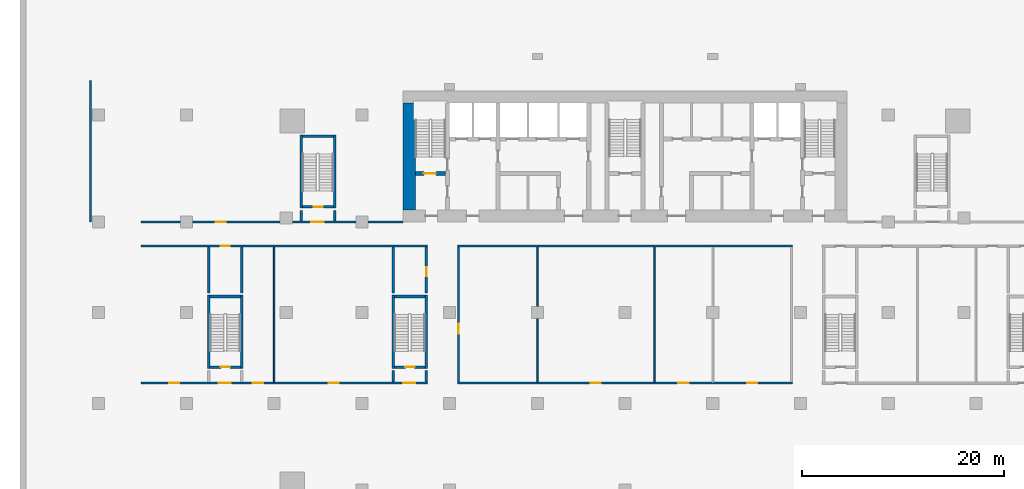
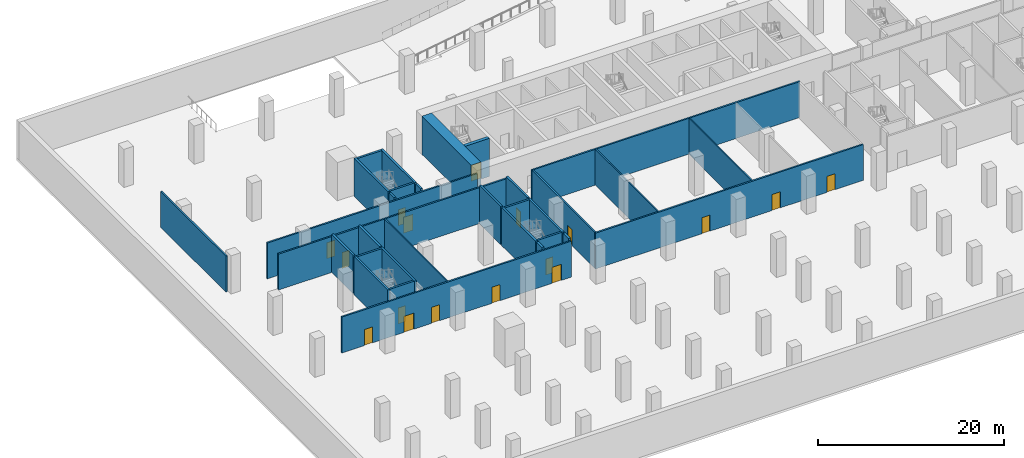
# One storey, part 2 of 8: 32 walls, 17 doors, 17 openings.
"""IFC4 building model written with IfcOpenShell, lengths in metres."""

from ifc_helpers import new_model, si_unit, direction, frame, frame_2d, origin, place, context, subcontext, project, spatial, rectangle, extrude, material, layer, layer_set, type_object, element, fill, save


model = new_model("IFC4")

# Units and contexts
model_context = context("Model", 3, precision=1e-05, world=origin(), true_north=direction((0.0, 1.0)))
body_context = subcontext(model_context, "Body", "Model", "MODEL_VIEW")
ifc_project = project(units=[si_unit("LENGTHUNIT", "METRE"), si_unit("AREAUNIT", "SQUARE_METRE"), si_unit("VOLUMEUNIT", "CUBIC_METRE"), si_unit("PLANEANGLEUNIT", "RADIAN"), si_unit("MASSUNIT", "GRAM", prefix="KILO")], contexts=[model_context])

# Site, building, storey
site_placement = place(None, origin())
site = spatial("IfcSite", under=ifc_project, at=site_placement, CompositionType="ELEMENT")
building_placement = place(site_placement, origin())
building = spatial("IfcBuilding", under=site, at=building_placement, Name="Bicima Exchange Tower", CompositionType="ELEMENT")
storey_placement = place(building_placement, frame((0.0, 0.0, -10.0)))
storey = spatial("IfcBuildingStorey", under=building, at=storey_placement, Name="B2", CompositionType="ELEMENT", Elevation=-10.0)

# Wall, openings, doors
ifc_material_1 = material(Name="Gypsum board partition")
ifc_layer_1 = layer(ifc_material_1, 0.199951171875)
ifc_layer_set_1 = layer_set([ifc_layer_1], Name="Gypsum board partition")
wall_type_1 = type_object("IfcWallType", Name="Fire-rated gypsum partition 200 EI60", PredefinedType="PARTITIONING", material=ifc_layer_set_1)
wall_1_placement = place(storey_placement, frame((-48.0, -29.0, 0.0), z_axis=(0.0, 0.0, 1.0), x_axis=(1.0, 0.0, 0.0)))
wall_1 = element("IfcWall", 1, at=wall_1_placement, inside=storey, type_object=wall_type_1, Name="partition wall 1", PredefinedType="PARTITIONING", context=body_context, shape_type="SweptSolid", body=[
    extrude(rectangle(XDim=28.425048828125, YDim=0.199951171875, at=frame_2d((14.21240234375, 0.0))), origin(), (0.0, 0.0, 1.0), 4.699951171875),
])
opening_1_placement = place(wall_1_placement, frame((7.699951171875, 0.0, 0.0)))
opening_1 = element("IfcOpeningElement", 2, at=opening_1_placement, cuts=wall_1, Name="Opening B2-001", PredefinedType="OPENING", context=body_context, shape_type="SweptSolid", body=[
    extrude(rectangle(XDim=1.199951171875, YDim=2.10009765625, at=frame_2d((0.60009765625, 1.050048828125))), frame((0.0, 0.11181640625, 0.0), z_axis=(0.0, -1.0, 0.0), x_axis=(1.0, 0.0, 0.0)), (0.0, 0.0, 1.0), 0.223876953125),
])
opening_2_placement = place(wall_1_placement, frame((26.0, 0.0, 0.0)))
opening_2 = element("IfcOpeningElement", 3, at=opening_2_placement, cuts=wall_1, Name="Opening B2-003", PredefinedType="OPENING", context=body_context, shape_type="SweptSolid", body=[
    extrude(rectangle(XDim=1.199951171875, YDim=2.10009765625, at=frame_2d((0.60009765625, 1.050048828125))), frame((0.0, 0.11181640625, 0.0), z_axis=(0.0, -1.0, 0.0), x_axis=(1.0, 0.0, 0.0)), (0.0, 0.0, 1.0), 0.223876953125),
])
opening_3_placement = place(wall_1_placement, frame((2.800048828125, 0.0, 0.0)))
opening_3 = element("IfcOpeningElement", 4, at=opening_3_placement, cuts=wall_1, Name="Opening B2-015", PredefinedType="OPENING", context=body_context, shape_type="SweptSolid", body=[
    extrude(rectangle(XDim=1.0, YDim=2.10009765625, at=frame_2d((0.5, 1.050048828125))), frame((0.0, 0.11181640625, 0.0), z_axis=(0.0, -1.0, 0.0), x_axis=(1.0, 0.0, 0.0)), (0.0, 0.0, 1.0), 0.223876953125),
])
opening_4_placement = place(wall_1_placement, frame((11.10009765625, 0.0, 0.0)))
opening_4 = element("IfcOpeningElement", 5, at=opening_4_placement, cuts=wall_1, Name="Opening B2-017", PredefinedType="OPENING", context=body_context, shape_type="SweptSolid", body=[
    extrude(rectangle(XDim=1.0, YDim=2.10009765625, at=frame_2d((0.5, 1.050048828125))), frame((0.0, 0.11181640625, 0.0), z_axis=(0.0, -1.0, 0.0), x_axis=(1.0, 0.0, 0.0)), (0.0, 0.0, 1.0), 0.223876953125),
])
opening_5_placement = place(wall_1_placement, frame((18.60009765625, 0.0, 0.0)))
opening_5 = element("IfcOpeningElement", 6, at=opening_5_placement, cuts=wall_1, Name="Opening B2-018", PredefinedType="OPENING", context=body_context, shape_type="SweptSolid", body=[
    extrude(rectangle(XDim=1.0, YDim=2.10009765625, at=frame_2d((0.5, 1.050048828125))), frame((0.0, 0.11181640625, 0.0), z_axis=(0.0, -1.0, 0.0), x_axis=(1.0, 0.0, 0.0)), (0.0, 0.0, 1.0), 0.223876953125),
])
ifc_material_2 = material(Name="Steel fire door leaf", Category="steel")
door_type_1 = type_object("IfcDoorType", Name="Door 1000 swing FD30S", OperationType="SINGLE_SWING_LEFT", PredefinedType="DOOR", material=ifc_material_2)
door_1_placement = place(opening_3_placement, origin())
door_1 = element("IfcDoor", 7, at=door_1_placement, inside=storey, type_object=door_type_1, Name="Door", OperationType="SINGLE_SWING_RIGHT", OverallHeight=2.10009765625, OverallWidth=1.0, PredefinedType="DOOR", context=body_context, shape_type="SweptSolid", body=[
    extrude(rectangle(XDim=1.0, YDim=2.10009765625, at=frame_2d((0.5, 1.050048828125))), frame((0.0, 0.02490234375, 0.0), z_axis=(0.0, -1.0, 0.0), x_axis=(1.0, 0.0, 0.0)), (0.0, 0.0, 1.0), 0.050048828125),
])
fill(opening_3, door_1)
door_2_placement = place(opening_4_placement, origin())
door_2 = element("IfcDoor", 8, at=door_2_placement, inside=storey, type_object=door_type_1, Name="Door", OperationType="SINGLE_SWING_LEFT", OverallHeight=2.10009765625, OverallWidth=1.0, PredefinedType="DOOR", context=body_context, shape_type="SweptSolid", body=[
    extrude(rectangle(XDim=1.0, YDim=2.10009765625, at=frame_2d((0.5, 1.050048828125))), frame((0.0, 0.02490234375, 0.0), z_axis=(0.0, -1.0, 0.0), x_axis=(1.0, 0.0, 0.0)), (0.0, 0.0, 1.0), 0.050048828125),
])
fill(opening_4, door_2)
door_3_placement = place(opening_5_placement, origin())
door_3 = element("IfcDoor", 9, at=door_3_placement, inside=storey, type_object=door_type_1, Name="Door", OperationType="SINGLE_SWING_RIGHT", OverallHeight=2.10009765625, OverallWidth=1.0, PredefinedType="DOOR", context=body_context, shape_type="SweptSolid", body=[
    extrude(rectangle(XDim=1.0, YDim=2.10009765625, at=frame_2d((0.5, 1.050048828125))), frame((0.0, 0.02490234375, 0.0), z_axis=(0.0, -1.0, 0.0), x_axis=(1.0, 0.0, 0.0)), (0.0, 0.0, 1.0), 0.050048828125),
])
fill(opening_5, door_3)
door_type_2 = type_object("IfcDoorType", Name="Door 1200 swing FD30S", OperationType="SINGLE_SWING_LEFT", PredefinedType="DOOR", material=ifc_material_2)
door_4_placement = place(opening_1_placement, origin())
door_4 = element("IfcDoor", 10, at=door_4_placement, inside=storey, type_object=door_type_2, Name="Door", OperationType="SINGLE_SWING_LEFT", OverallHeight=2.10009765625, OverallWidth=1.199951171875, PredefinedType="DOOR", context=body_context, shape_type="SweptSolid", body=[
    extrude(rectangle(XDim=1.199951171875, YDim=2.10009765625, at=frame_2d((0.60009765625, 1.050048828125))), frame((0.0, 0.02490234375, 0.0), z_axis=(0.0, -1.0, 0.0), x_axis=(1.0, 0.0, 0.0)), (0.0, 0.0, 1.0), 0.050048828125),
])
fill(opening_1, door_4)
door_5_placement = place(opening_2_placement, origin())
door_5 = element("IfcDoor", 11, at=door_5_placement, inside=storey, type_object=door_type_2, Name="Door", OperationType="SINGLE_SWING_RIGHT", OverallHeight=2.10009765625, OverallWidth=1.199951171875, PredefinedType="DOOR", context=body_context, shape_type="SweptSolid", body=[
    extrude(rectangle(XDim=1.199951171875, YDim=2.10009765625, at=frame_2d((0.60009765625, 1.050048828125))), frame((0.0, 0.02490234375, 0.0), z_axis=(0.0, -1.0, 0.0), x_axis=(1.0, 0.0, 0.0)), (0.0, 0.0, 1.0), 0.050048828125),
])
fill(opening_2, door_5)

wall_2_placement = place(storey_placement, frame((-16.60009765625, -29.0, 0.0), z_axis=(0.0, 0.0, 1.0), x_axis=(1.0, 0.0, 0.0)))
wall_2 = element("IfcWall", 12, at=wall_2_placement, inside=storey, type_object=wall_type_1, Name="partition wall 2", PredefinedType="PARTITIONING", context=body_context, shape_type="SweptSolid", body=[
    extrude(rectangle(XDim=33.2001953125, YDim=0.199951171875, at=frame_2d((16.60009765625, 0.0))), origin(), (0.0, 0.0, 1.0), 4.699951171875),
])
opening_6_placement = place(wall_2_placement, frame((13.199951171875, 0.0, 0.0)))
opening_6 = element("IfcOpeningElement", 13, at=opening_6_placement, cuts=wall_2, Name="Opening B2-021", PredefinedType="OPENING", context=body_context, shape_type="SweptSolid", body=[
    extrude(rectangle(XDim=1.0, YDim=2.10009765625, at=frame_2d((0.5, 1.050048828125))), frame((0.0, 0.11181640625, 0.0), z_axis=(0.0, -1.0, 0.0), x_axis=(1.0, 0.0, 0.0)), (0.0, 0.0, 1.0), 0.223876953125),
])
opening_7_placement = place(wall_2_placement, frame((21.89990234375, 0.0, 0.0)))
opening_7 = element("IfcOpeningElement", 14, at=opening_7_placement, cuts=wall_2, Name="Opening B2-022", PredefinedType="OPENING", context=body_context, shape_type="SweptSolid", body=[
    extrude(rectangle(XDim=1.0, YDim=2.10009765625, at=frame_2d((0.5, 1.050048828125))), frame((0.0, 0.11181640625, 0.0), z_axis=(0.0, -1.0, 0.0), x_axis=(1.0, 0.0, 0.0)), (0.0, 0.0, 1.0), 0.223876953125),
])
opening_8_placement = place(wall_2_placement, frame((28.699951171875, 0.0, 0.0)))
opening_8 = element("IfcOpeningElement", 15, at=opening_8_placement, cuts=wall_2, Name="Opening B2-023", PredefinedType="OPENING", context=body_context, shape_type="SweptSolid", body=[
    extrude(rectangle(XDim=1.0, YDim=2.10009765625, at=frame_2d((0.5, 1.050048828125))), frame((0.0, 0.11181640625, 0.0), z_axis=(0.0, -1.0, 0.0), x_axis=(1.0, 0.0, 0.0)), (0.0, 0.0, 1.0), 0.223876953125),
])
door_6_placement = place(opening_6_placement, origin())
door_6 = element("IfcDoor", 16, at=door_6_placement, inside=storey, type_object=door_type_1, Name="Door", OperationType="SINGLE_SWING_RIGHT", OverallHeight=2.10009765625, OverallWidth=1.0, PredefinedType="DOOR", context=body_context, shape_type="SweptSolid", body=[
    extrude(rectangle(XDim=1.0, YDim=2.10009765625, at=frame_2d((0.5, 1.050048828125))), frame((0.0, 0.02490234375, 0.0), z_axis=(0.0, -1.0, 0.0), x_axis=(1.0, 0.0, 0.0)), (0.0, 0.0, 1.0), 0.050048828125),
])
fill(opening_6, door_6)
door_7_placement = place(opening_7_placement, origin())
door_7 = element("IfcDoor", 17, at=door_7_placement, inside=storey, type_object=door_type_1, Name="Door", OperationType="SINGLE_SWING_LEFT", OverallHeight=2.10009765625, OverallWidth=1.0, PredefinedType="DOOR", context=body_context, shape_type="SweptSolid", body=[
    extrude(rectangle(XDim=1.0, YDim=2.10009765625, at=frame_2d((0.5, 1.050048828125))), frame((0.0, 0.02490234375, 0.0), z_axis=(0.0, -1.0, 0.0), x_axis=(1.0, 0.0, 0.0)), (0.0, 0.0, 1.0), 0.050048828125),
])
fill(opening_7, door_7)
door_8_placement = place(opening_8_placement, origin())
door_8 = element("IfcDoor", 18, at=door_8_placement, inside=storey, type_object=door_type_1, Name="Door", OperationType="SINGLE_SWING_LEFT", OverallHeight=2.10009765625, OverallWidth=1.0, PredefinedType="DOOR", context=body_context, shape_type="SweptSolid", body=[
    extrude(rectangle(XDim=1.0, YDim=2.10009765625, at=frame_2d((0.5, 1.050048828125))), frame((0.0, 0.02490234375, 0.0), z_axis=(0.0, -1.0, 0.0), x_axis=(1.0, 0.0, 0.0)), (0.0, 0.0, 1.0), 0.050048828125),
])
fill(opening_8, door_8)

# Wall, opening, door
wall_3_placement = place(storey_placement, frame((-48.0, -15.39990234375, 0.0), z_axis=(0.0, 0.0, 1.0), x_axis=(1.0, 0.0, 0.0)))
wall_3 = element("IfcWall", 19, at=wall_3_placement, inside=storey, type_object=wall_type_1, Name="partition wall 12", PredefinedType="PARTITIONING", context=body_context, shape_type="SweptSolid", body=[
    extrude(rectangle(XDim=28.425048828125, YDim=0.199951171875, at=frame_2d((14.21240234375, 0.0))), origin(), (0.0, 0.0, 1.0), 4.699951171875),
])
opening_9_placement = place(wall_3_placement, frame((7.89990234375, 0.0, 0.0)))
opening_9 = element("IfcOpeningElement", 20, at=opening_9_placement, cuts=wall_3, Name="Opening B2-016", PredefinedType="OPENING", context=body_context, shape_type="SweptSolid", body=[
    extrude(rectangle(XDim=0.89990234375, YDim=2.10009765625, at=frame_2d((0.449951171875, 1.050048828125))), frame((0.0, 0.11181640625, 0.0), z_axis=(0.0, -1.0, 0.0), x_axis=(1.0, 0.0, 0.0)), (0.0, 0.0, 1.0), 0.223876953125),
])
door_type_3 = type_object("IfcDoorType", Name="Door 900 swing FD30S", OperationType="SINGLE_SWING_LEFT", PredefinedType="DOOR", material=ifc_material_2)
door_9_placement = place(opening_9_placement, frame((0.89990234375, 0.0, 0.0), z_axis=(0.0, 0.0, 1.0), x_axis=(-1.0, 0.0, 0.0)))
door_9 = element("IfcDoor", 21, at=door_9_placement, inside=storey, type_object=door_type_3, Name="Door", OperationType="SINGLE_SWING_LEFT", OverallHeight=2.10009765625, OverallWidth=0.89990234375, PredefinedType="DOOR", context=body_context, shape_type="SweptSolid", body=[
    extrude(rectangle(XDim=0.89990234375, YDim=2.10009765625, at=frame_2d((0.449951171875, 1.050048828125))), frame((0.0, 0.02490234375, 0.0), z_axis=(0.0, -1.0, 0.0), x_axis=(1.0, 0.0, 0.0)), (0.0, 0.0, 1.0), 0.050048828125),
])
fill(opening_9, door_9)

# Wall
wall_4_placement = place(storey_placement, frame((-16.60009765625, -15.39990234375, 0.0), z_axis=(0.0, 0.0, 1.0), x_axis=(1.0, 0.0, 0.0)))
element("IfcWall", 22, at=wall_4_placement, inside=storey, type_object=wall_type_1, Name="partition wall 13", PredefinedType="PARTITIONING", context=body_context, shape_type="SweptSolid", body=[
    extrude(rectangle(XDim=33.2001953125, YDim=0.199951171875, at=frame_2d((16.60009765625, 0.0))), origin(), (0.0, 0.0, 1.0), 4.699951171875),
])

# Wall, openings, doors
wall_5_placement = place(storey_placement, frame((-48.0, -13.0, 0.0), z_axis=(0.0, 0.0, 1.0), x_axis=(1.0, 0.0, 0.0)))
wall_5 = element("IfcWall", 23, at=wall_5_placement, inside=storey, type_object=wall_type_1, Name="partition wall 15", PredefinedType="PARTITIONING", context=body_context, shape_type="SweptSolid", body=[
    extrude(rectangle(XDim=26.0, YDim=0.199951171875, at=frame_2d((13.0, 0.0))), origin(), (0.0, 0.0, 1.0), 4.699951171875),
])
opening_10_placement = place(wall_5_placement, frame((16.89990234375, 0.0, 0.0)))
opening_10 = element("IfcOpeningElement", 24, at=opening_10_placement, cuts=wall_5, Name="Opening B2-009", PredefinedType="OPENING", context=body_context, shape_type="SweptSolid", body=[
    extrude(rectangle(XDim=1.199951171875, YDim=2.10009765625, at=frame_2d((0.60009765625, 1.050048828125))), frame((0.0, 0.11181640625, 0.0), z_axis=(0.0, -1.0, 0.0), x_axis=(1.0, 0.0, 0.0)), (0.0, 0.0, 1.0), 0.223876953125),
])
opening_11_placement = place(wall_5_placement, frame((7.39990234375, 0.0, 0.0)))
opening_11 = element("IfcOpeningElement", 25, at=opening_11_placement, cuts=wall_5, Name="Opening B2-013", PredefinedType="OPENING", context=body_context, shape_type="SweptSolid", body=[
    extrude(rectangle(XDim=1.0, YDim=2.10009765625, at=frame_2d((0.5, 1.050048828125))), frame((0.0, 0.11181640625, 0.0), z_axis=(0.0, -1.0, 0.0), x_axis=(1.0, 0.0, 0.0)), (0.0, 0.0, 1.0), 0.223876953125),
])
door_10_placement = place(opening_11_placement, origin())
door_10 = element("IfcDoor", 26, at=door_10_placement, inside=storey, type_object=door_type_1, Name="Door", OperationType="SINGLE_SWING_LEFT", OverallHeight=2.10009765625, OverallWidth=1.0, PredefinedType="DOOR", context=body_context, shape_type="SweptSolid", body=[
    extrude(rectangle(XDim=1.0, YDim=2.10009765625, at=frame_2d((0.5, 1.050048828125))), frame((0.0, 0.02490234375, 0.0), z_axis=(0.0, -1.0, 0.0), x_axis=(1.0, 0.0, 0.0)), (0.0, 0.0, 1.0), 0.050048828125),
])
fill(opening_11, door_10)
door_11_placement = place(opening_10_placement, origin())
door_11 = element("IfcDoor", 27, at=door_11_placement, inside=storey, type_object=door_type_2, Name="Door", OperationType="SINGLE_SWING_RIGHT", OverallHeight=2.10009765625, OverallWidth=1.199951171875, PredefinedType="DOOR", context=body_context, shape_type="SweptSolid", body=[
    extrude(rectangle(XDim=1.199951171875, YDim=2.10009765625, at=frame_2d((0.60009765625, 1.050048828125))), frame((0.0, 0.02490234375, 0.0), z_axis=(0.0, -1.0, 0.0), x_axis=(1.0, 0.0, 0.0)), (0.0, 0.0, 1.0), 0.050048828125),
])
fill(opening_10, door_11)

# Wall
wall_6_placement = place(storey_placement, frame((-53.0, -13.0, 0.0), z_axis=(0.0, 0.0, 1.0), x_axis=(0.0, 1.0, 0.0)))
element("IfcWall", 28, at=wall_6_placement, inside=storey, type_object=wall_type_1, Name="partition wall 23", PredefinedType="PARTITIONING", context=body_context, shape_type="SweptSolid", body=[
    extrude(rectangle(XDim=14.0, YDim=0.199951171875, at=frame_2d((7.0, 0.0))), origin(), (0.0, 0.0, 1.0), 4.699951171875),
])

# Wall, opening, door
wall_7_placement = place(storey_placement, frame((-16.5, -28.89990234375, 0.0), z_axis=(0.0, 0.0, 1.0), x_axis=(0.0, 1.0, 0.0)))
wall_7 = element("IfcWall", 29, at=wall_7_placement, inside=storey, type_object=wall_type_1, Name="partition wall 31", PredefinedType="PARTITIONING", context=body_context, shape_type="SweptSolid", body=[
    extrude(rectangle(XDim=13.39990234375, YDim=0.199951171875, at=frame_2d((6.699951171875, 0.0))), origin(), (0.0, 0.0, 1.0), 4.699951171875),
])
opening_12_placement = place(wall_7_placement, frame((4.800048828125, 0.0, 0.0)))
opening_12 = element("IfcOpeningElement", 30, at=opening_12_placement, cuts=wall_7, Name="Opening B2-020", PredefinedType="OPENING", context=body_context, shape_type="SweptSolid", body=[
    extrude(rectangle(XDim=1.0, YDim=2.10009765625, at=frame_2d((0.5, 1.050048828125))), frame((0.0, 0.11181640625, 0.0), z_axis=(0.0, -1.0, 0.0), x_axis=(1.0, 0.0, 0.0)), (0.0, 0.0, 1.0), 0.223876953125),
])
door_12_placement = place(opening_12_placement, frame((1.0, 0.0, 0.0), z_axis=(0.0, 0.0, 1.0), x_axis=(-1.0, 0.0, 0.0)))
door_12 = element("IfcDoor", 31, at=door_12_placement, inside=storey, type_object=door_type_1, Name="Door", OperationType="SINGLE_SWING_RIGHT", OverallHeight=2.10009765625, OverallWidth=1.0, PredefinedType="DOOR", context=body_context, shape_type="SweptSolid", body=[
    extrude(rectangle(XDim=1.0, YDim=2.10009765625, at=frame_2d((0.5, 1.050048828125))), frame((0.0, 0.02490234375, 0.0), z_axis=(0.0, -1.0, 0.0), x_axis=(1.0, 0.0, 0.0)), (0.0, 0.0, 1.0), 0.050048828125),
])
fill(opening_12, door_12)

# Walls
ifc_layer_2 = layer(ifc_material_1, 0.14990234375)
ifc_layer_set_2 = layer_set([ifc_layer_2], Name="Gypsum board partition")
wall_type_2 = type_object("IfcWallType", Name="Gypsum partition 150", PredefinedType="PARTITIONING", material=ifc_layer_set_2)
for number, where, z_axis, x_axis, name in (
    (32, (-34.800048828125, -28.89990234375, 0.0), (0.0, 0.0, 1.0), (0.0, 1.0, 0.0), "partition wall 26"),
    (33, (-8.699951171875, -28.89990234375, 0.0), (0.0, 0.0, 1.0), (0.0, 1.0, 0.0), "partition wall 32"),
    (34, (2.89990234375, -28.89990234375, 0.0), (0.0, 0.0, 1.0), (0.0, 1.0, 0.0), "partition wall 33"),
):
    element("IfcWall", number, at=place(storey_placement, frame(where, z_axis=z_axis, x_axis=x_axis)), inside=storey, type_object=wall_type_2, Name=name, PredefinedType="PARTITIONING", context=body_context, shape_type="SweptSolid", body=[
        extrude(rectangle(XDim=13.39990234375, YDim=0.14990234375, at=frame_2d((6.699951171875, 0.0))), origin(), (0.0, 0.0, 1.0), 4.699951171875),
    ])
ifc_material_3 = material(Name="Concrete C60/75", Category="concrete")
ifc_layer_3 = layer(ifc_material_3, 1.199951171875)
ifc_layer_set_3 = layer_set([ifc_layer_3], Name="Concrete C60/75")
wall_type_3 = type_object("IfcWallType", Name="RC core wall 1200 C60/75", PredefinedType="SHEAR", material=ifc_layer_set_3)
wall_8_placement = place(storey_placement, frame((-21.39990234375, -11.800048828125, 0.0), z_axis=(0.0, 0.0, 1.0), x_axis=(0.0, 1.0, 0.0)))
element("IfcWall", 35, at=wall_8_placement, inside=storey, type_object=wall_type_3, Name="Core wall west", PredefinedType="SHEAR", context=body_context, shape_type="SweptSolid", body=[
    extrude(rectangle(XDim=10.60009765625, YDim=1.199951171875, at=frame_2d((5.300048828125, 0.0))), origin(), (0.0, 0.0, 1.0), 5.0),
])
ifc_material_4 = material(Name="Concrete C50/60", Category="concrete")
ifc_layer_4 = layer(ifc_material_4, 0.25)
ifc_layer_set_4 = layer_set([ifc_layer_4], Name="Concrete C50/60")
wall_type_4 = type_object("IfcWallType", Name="RC core wall 250 C50/60", PredefinedType="SHEAR", material=ifc_layer_set_4)
for number, where, z_axis, x_axis, name in (
    (36, (-41.300048828125, -20.050048828125, 0.0), (0.0, 0.0, 1.0), (0.0, 1.0, 0.0), "stair wall 24"),
    (37, (-38.0, -20.050048828125, 0.0), (0.0, 0.0, 1.0), (0.0, 1.0, 0.0), "stair wall 25"),
):
    element("IfcWall", number, at=place(storey_placement, frame(where, z_axis=z_axis, x_axis=x_axis)), inside=storey, type_object=wall_type_4, Name=name, PredefinedType="SHEAR", context=body_context, shape_type="SweptSolid", body=[
        extrude(rectangle(XDim=4.550048828125, YDim=0.25, at=frame_2d((2.27490234375, 0.0))), origin(), (0.0, 0.0, 1.0), 5.0),
    ])
for number, where, z_axis, x_axis, name in (
    (38, (-32.10009765625, -12.89990234375, 0.0), (0.0, 0.0, 1.0), (0.0, 1.0, 0.0), "stair wall 27"),
    (39, (-28.800048828125, -12.89990234375, 0.0), (0.0, 0.0, 1.0), (0.0, 1.0, 0.0), "stair wall 28"),
):
    element("IfcWall", number, at=place(storey_placement, frame(where, z_axis=z_axis, x_axis=x_axis)), inside=storey, type_object=wall_type_4, Name=name, PredefinedType="SHEAR", context=body_context, shape_type="SweptSolid", body=[
        extrude(rectangle(XDim=1.0498046875, YDim=0.25, at=frame_2d((0.52490234375, 0.0))), origin(), (0.0, 0.0, 1.0), 5.0),
    ])
wall_9_placement = place(storey_placement, frame((-23.0, -28.89990234375, 0.0), z_axis=(0.0, 0.0, 1.0), x_axis=(0.0, 1.0, 0.0)))
element("IfcWall", 40, at=wall_9_placement, inside=storey, type_object=wall_type_4, Name="stair wall 29", PredefinedType="SHEAR", context=body_context, shape_type="SweptSolid", body=[
    extrude(rectangle(XDim=1.14990234375, YDim=0.25, at=frame_2d((0.574951171875, 0.0))), origin(), (0.0, 0.0, 1.0), 5.0),
])
wall_10_placement = place(storey_placement, frame((-23.0, -20.050048828125, 0.0), z_axis=(0.0, 0.0, 1.0), x_axis=(0.0, 1.0, 0.0)))
element("IfcWall", 41, at=wall_10_placement, inside=storey, type_object=wall_type_4, Name="stair wall 29", PredefinedType="SHEAR", context=body_context, shape_type="SweptSolid", body=[
    extrude(rectangle(XDim=4.550048828125, YDim=0.25, at=frame_2d((2.27490234375, 0.0))), origin(), (0.0, 0.0, 1.0), 5.0),
])
wall_11_placement = place(storey_placement, frame((-19.699951171875, -28.89990234375, 0.0), z_axis=(0.0, 0.0, 1.0), x_axis=(0.0, 1.0, 0.0)))
element("IfcWall", 42, at=wall_11_placement, inside=storey, type_object=wall_type_4, Name="stair wall 30", PredefinedType="SHEAR", context=body_context, shape_type="SweptSolid", body=[
    extrude(rectangle(XDim=1.14990234375, YDim=0.25, at=frame_2d((0.574951171875, 0.0))), origin(), (0.0, 0.0, 1.0), 5.0),
])

# Wall, opening, door
wall_12_placement = place(storey_placement, frame((-19.699951171875, -20.050048828125, 0.0), z_axis=(0.0, 0.0, 1.0), x_axis=(0.0, 1.0, 0.0)))
wall_12 = element("IfcWall", 43, at=wall_12_placement, inside=storey, type_object=wall_type_4, Name="stair wall 30", PredefinedType="SHEAR", context=body_context, shape_type="SweptSolid", body=[
    extrude(rectangle(XDim=4.550048828125, YDim=0.25, at=frame_2d((2.27490234375, 0.0))), origin(), (0.0, 0.0, 1.0), 5.0),
])
opening_13_placement = place(wall_12_placement, frame((1.64990234375, 0.0, 0.0)))
opening_13 = element("IfcOpeningElement", 44, at=opening_13_placement, cuts=wall_12, Name="Opening B2-019", PredefinedType="OPENING", context=body_context, shape_type="SweptSolid", body=[
    extrude(rectangle(XDim=0.89990234375, YDim=2.10009765625, at=frame_2d((0.449951171875, 1.050048828125))), frame((0.0, 0.136962890625, 0.0), z_axis=(0.0, -1.0, 0.0), x_axis=(1.0, 0.0, 0.0)), (0.0, 0.0, 1.0), 0.27392578125),
])
door_type_4 = type_object("IfcDoorType", Name="Door 900 swing FD60S", OperationType="SINGLE_SWING_LEFT", PredefinedType="DOOR", material=ifc_material_2)
door_13_placement = place(opening_13_placement, origin())
door_13 = element("IfcDoor", 45, at=door_13_placement, inside=storey, type_object=door_type_4, Name="Door", OperationType="SINGLE_SWING_LEFT", OverallHeight=2.10009765625, OverallWidth=0.89990234375, PredefinedType="DOOR", context=body_context, shape_type="SweptSolid", body=[
    extrude(rectangle(XDim=0.89990234375, YDim=2.10009765625, at=frame_2d((0.449951171875, 1.050048828125))), frame((0.0, 0.02490234375, 0.0), z_axis=(0.0, -1.0, 0.0), x_axis=(1.0, 0.0, 0.0)), (0.0, 0.0, 1.0), 0.050048828125),
])
fill(opening_13, door_13)

ifc_layer_5 = layer(ifc_material_4, 0.39990234375)
ifc_layer_set_5 = layer_set([ifc_layer_5], Name="Concrete C50/60")
wall_type_5 = type_object("IfcWallType", Name="RC core wall 400 C50/60", PredefinedType="SHEAR", material=ifc_layer_set_5)
wall_13_placement = place(storey_placement, frame((-20.800048828125, -8.199951171875, 0.0), z_axis=(0.0, 0.0, 1.0), x_axis=(1.0, 0.0, 0.0)))
wall_13 = element("IfcWall", 46, at=wall_13_placement, inside=storey, type_object=wall_type_5, Name="stair wall 1", PredefinedType="SHEAR", context=body_context, shape_type="SweptSolid", body=[
    extrude(rectangle(XDim=3.0, YDim=0.39990234375, at=frame_2d((1.5, 0.0))), origin(), (0.0, 0.0, 1.0), 5.0),
])
opening_14_placement = place(wall_13_placement, frame((0.85009765625, 0.0, 0.0)))
opening_14 = element("IfcOpeningElement", 47, at=opening_14_placement, cuts=wall_13, Name="Opening B2-C01", PredefinedType="OPENING", context=body_context, shape_type="SweptSolid", body=[
    extrude(rectangle(XDim=1.199951171875, YDim=2.10009765625, at=frame_2d((0.60009765625, 1.050048828125))), frame((0.0, 0.2119140625, 0.0), z_axis=(0.0, -1.0, 0.0), x_axis=(1.0, 0.0, 0.0)), (0.0, 0.0, 1.0), 0.423828125),
])
door_type_5 = type_object("IfcDoorType", Name="Door 1200 swing FD60S", OperationType="SINGLE_SWING_LEFT", PredefinedType="DOOR", material=ifc_material_2)
door_14_placement = place(opening_14_placement, origin())
door_14 = element("IfcDoor", 48, at=door_14_placement, inside=storey, type_object=door_type_5, Name="Core door", OperationType="SINGLE_SWING_LEFT", OverallHeight=2.10009765625, OverallWidth=1.199951171875, PredefinedType="DOOR", context=body_context, shape_type="SweptSolid", body=[
    extrude(rectangle(XDim=1.199951171875, YDim=2.10009765625, at=frame_2d((0.60009765625, 1.050048828125))), frame((0.0, 0.02490234375, 0.0), z_axis=(0.0, -1.0, 0.0), x_axis=(1.0, 0.0, 0.0)), (0.0, 0.0, 1.0), 0.050048828125),
])
fill(opening_14, door_14)

# Walls
ifc_layer_6 = layer(ifc_material_4, 0.25)
ifc_layer_set_6 = layer_set([ifc_layer_6], Name="Concrete C50/60")
wall_type_6 = type_object("IfcWallType", Name="RC stair enclosure wall 250 C50/60", PredefinedType="SHEAR", material=ifc_layer_set_6)
for number, where, z_axis, x_axis, name in (
    (49, (-32.10009765625, -11.625, 0.0), (0.0, 0.0, 1.0), (0.0, 1.0, 0.0), "West end exit stair wall W"),
    (50, (-28.800048828125, -11.625, 0.0), (0.0, 0.0, 1.0), (0.0, 1.0, 0.0), "West end exit stair wall E"),
):
    element("IfcWall", number, at=place(storey_placement, frame(where, z_axis=z_axis, x_axis=x_axis)), inside=storey, type_object=wall_type_6, Name=name, PredefinedType="SHEAR", context=body_context, shape_type="SweptSolid", body=[
        extrude(rectangle(XDim=7.25, YDim=0.25, at=frame_2d((3.625, 0.0))), origin(), (0.0, 0.0, 1.0), 5.0),
    ])

# Wall, opening, door
wall_14_placement = place(storey_placement, frame((-31.97509765625, -11.5, 0.0), z_axis=(0.0, 0.0, 1.0), x_axis=(1.0, 0.0, 0.0)))
wall_14 = element("IfcWall", 51, at=wall_14_placement, inside=storey, type_object=wall_type_6, Name="West end exit stair wall S", PredefinedType="SHEAR", context=body_context, shape_type="SweptSolid", body=[
    extrude(rectangle(XDim=3.050048828125, YDim=0.25, at=frame_2d((1.52490234375, 0.0))), origin(), (0.0, 0.0, 1.0), 5.0),
])
opening_15_placement = place(wall_14_placement, frame((1.10009765625, 0.0, 0.0)))
opening_15 = element("IfcOpeningElement", 52, at=opening_15_placement, cuts=wall_14, Name="Opening B2-010", PredefinedType="OPENING", context=body_context, shape_type="SweptSolid", body=[
    extrude(rectangle(XDim=0.89990234375, YDim=2.10009765625, at=frame_2d((0.449951171875, 1.050048828125))), frame((0.0, 0.136962890625, 0.0), z_axis=(0.0, -1.0, 0.0), x_axis=(1.0, 0.0, 0.0)), (0.0, 0.0, 1.0), 0.27392578125),
])
door_15_placement = place(opening_15_placement, origin())
door_15 = element("IfcDoor", 53, at=door_15_placement, inside=storey, type_object=door_type_4, Name="Door", OperationType="SINGLE_SWING_LEFT", OverallHeight=2.10009765625, OverallWidth=0.89990234375, PredefinedType="DOOR", context=body_context, shape_type="SweptSolid", body=[
    extrude(rectangle(XDim=0.89990234375, YDim=2.10009765625, at=frame_2d((0.449951171875, 1.050048828125))), frame((0.0, 0.02490234375, 0.0), z_axis=(0.0, -1.0, 0.0), x_axis=(1.0, 0.0, 0.0)), (0.0, 0.0, 1.0), 0.050048828125),
])
fill(opening_15, door_15)

# Walls
wall_15_placement = place(storey_placement, frame((-31.97509765625, -4.5, 0.0), z_axis=(0.0, 0.0, 1.0), x_axis=(1.0, 0.0, 0.0)))
element("IfcWall", 54, at=wall_15_placement, inside=storey, type_object=wall_type_6, Name="West end exit stair wall N", PredefinedType="SHEAR", context=body_context, shape_type="SweptSolid", body=[
    extrude(rectangle(XDim=3.050048828125, YDim=0.25, at=frame_2d((1.52490234375, 0.0))), origin(), (0.0, 0.0, 1.0), 5.0),
])
for number, where, z_axis, x_axis, name in (
    (55, (-41.300048828125, -27.52490234375, 0.0), (0.0, 0.0, 1.0), (0.0, 1.0, 0.0), "Podium west stair wall W"),
    (56, (-38.0, -27.52490234375, 0.0), (0.0, 0.0, 1.0), (0.0, 1.0, 0.0), "Podium west stair wall E"),
):
    element("IfcWall", number, at=place(storey_placement, frame(where, z_axis=z_axis, x_axis=x_axis)), inside=storey, type_object=wall_type_6, Name=name, PredefinedType="SHEAR", context=body_context, shape_type="SweptSolid", body=[
        extrude(rectangle(XDim=7.25, YDim=0.25, at=frame_2d((3.625, 0.0))), origin(), (0.0, 0.0, 1.0), 5.0),
    ])

# Wall, opening, door
wall_16_placement = place(storey_placement, frame((-41.175048828125, -27.39990234375, 0.0), z_axis=(0.0, 0.0, 1.0), x_axis=(1.0, 0.0, 0.0)))
wall_16 = element("IfcWall", 57, at=wall_16_placement, inside=storey, type_object=wall_type_6, Name="Podium west stair wall S", PredefinedType="SHEAR", context=body_context, shape_type="SweptSolid", body=[
    extrude(rectangle(XDim=3.050048828125, YDim=0.25, at=frame_2d((1.52490234375, 0.0))), origin(), (0.0, 0.0, 1.0), 5.0),
])
opening_16_placement = place(wall_16_placement, frame((1.10009765625, 0.0, 0.0)))
opening_16 = element("IfcOpeningElement", 58, at=opening_16_placement, cuts=wall_16, Name="Opening B2-002", PredefinedType="OPENING", context=body_context, shape_type="SweptSolid", body=[
    extrude(rectangle(XDim=0.89990234375, YDim=2.10009765625, at=frame_2d((0.449951171875, 1.050048828125))), frame((0.0, 0.136962890625, 0.0), z_axis=(0.0, -1.0, 0.0), x_axis=(1.0, 0.0, 0.0)), (0.0, 0.0, 1.0), 0.27392578125),
])
door_16_placement = place(opening_16_placement, origin())
door_16 = element("IfcDoor", 59, at=door_16_placement, inside=storey, type_object=door_type_4, Name="Door", OperationType="SINGLE_SWING_LEFT", OverallHeight=2.10009765625, OverallWidth=0.89990234375, PredefinedType="DOOR", context=body_context, shape_type="SweptSolid", body=[
    extrude(rectangle(XDim=0.89990234375, YDim=2.10009765625, at=frame_2d((0.449951171875, 1.050048828125))), frame((0.0, 0.02490234375, 0.0), z_axis=(0.0, -1.0, 0.0), x_axis=(1.0, 0.0, 0.0)), (0.0, 0.0, 1.0), 0.050048828125),
])
fill(opening_16, door_16)

# Walls
wall_17_placement = place(storey_placement, frame((-41.175048828125, -20.39990234375, 0.0), z_axis=(0.0, 0.0, 1.0), x_axis=(1.0, 0.0, 0.0)))
element("IfcWall", 60, at=wall_17_placement, inside=storey, type_object=wall_type_6, Name="Podium west stair wall N", PredefinedType="SHEAR", context=body_context, shape_type="SweptSolid", body=[
    extrude(rectangle(XDim=3.050048828125, YDim=0.25, at=frame_2d((1.52490234375, 0.0))), origin(), (0.0, 0.0, 1.0), 5.0),
])
for number, where, z_axis, x_axis, name in (
    (61, (-23.0, -27.52490234375, 0.0), (0.0, 0.0, 1.0), (0.0, 1.0, 0.0), "Podium inner west stair wall W"),
    (62, (-19.699951171875, -27.52490234375, 0.0), (0.0, 0.0, 1.0), (0.0, 1.0, 0.0), "Podium inner west stair wall E"),
):
    element("IfcWall", number, at=place(storey_placement, frame(where, z_axis=z_axis, x_axis=x_axis)), inside=storey, type_object=wall_type_6, Name=name, PredefinedType="SHEAR", context=body_context, shape_type="SweptSolid", body=[
        extrude(rectangle(XDim=7.25, YDim=0.25, at=frame_2d((3.625, 0.0))), origin(), (0.0, 0.0, 1.0), 5.0),
    ])

# Wall, opening, door
wall_18_placement = place(storey_placement, frame((-22.875, -27.39990234375, 0.0), z_axis=(0.0, 0.0, 1.0), x_axis=(1.0, 0.0, 0.0)))
wall_18 = element("IfcWall", 63, at=wall_18_placement, inside=storey, type_object=wall_type_6, Name="Podium inner west stair wall S", PredefinedType="SHEAR", context=body_context, shape_type="SweptSolid", body=[
    extrude(rectangle(XDim=3.050048828125, YDim=0.25, at=frame_2d((1.52490234375, 0.0))), origin(), (0.0, 0.0, 1.0), 5.0),
])
opening_17_placement = place(wall_18_placement, frame((1.10009765625, 0.0, 0.0)))
opening_17 = element("IfcOpeningElement", 64, at=opening_17_placement, cuts=wall_18, Name="Opening B2-004", PredefinedType="OPENING", context=body_context, shape_type="SweptSolid", body=[
    extrude(rectangle(XDim=0.89990234375, YDim=2.10009765625, at=frame_2d((0.449951171875, 1.050048828125))), frame((0.0, 0.136962890625, 0.0), z_axis=(0.0, -1.0, 0.0), x_axis=(1.0, 0.0, 0.0)), (0.0, 0.0, 1.0), 0.27392578125),
])
door_17_placement = place(opening_17_placement, origin())
door_17 = element("IfcDoor", 65, at=door_17_placement, inside=storey, type_object=door_type_4, Name="Door", OperationType="SINGLE_SWING_LEFT", OverallHeight=2.10009765625, OverallWidth=0.89990234375, PredefinedType="DOOR", context=body_context, shape_type="SweptSolid", body=[
    extrude(rectangle(XDim=0.89990234375, YDim=2.10009765625, at=frame_2d((0.449951171875, 1.050048828125))), frame((0.0, 0.02490234375, 0.0), z_axis=(0.0, -1.0, 0.0), x_axis=(1.0, 0.0, 0.0)), (0.0, 0.0, 1.0), 0.050048828125),
])
fill(opening_17, door_17)

# Wall
wall_19_placement = place(storey_placement, frame((-22.875, -20.39990234375, 0.0), z_axis=(0.0, 0.0, 1.0), x_axis=(1.0, 0.0, 0.0)))
element("IfcWall", 66, at=wall_19_placement, inside=storey, type_object=wall_type_6, Name="Podium inner west stair wall N", PredefinedType="SHEAR", context=body_context, shape_type="SweptSolid", body=[
    extrude(rectangle(XDim=3.050048828125, YDim=0.25, at=frame_2d((1.52490234375, 0.0))), origin(), (0.0, 0.0, 1.0), 5.0),
])

save(model, "model.ifc")
